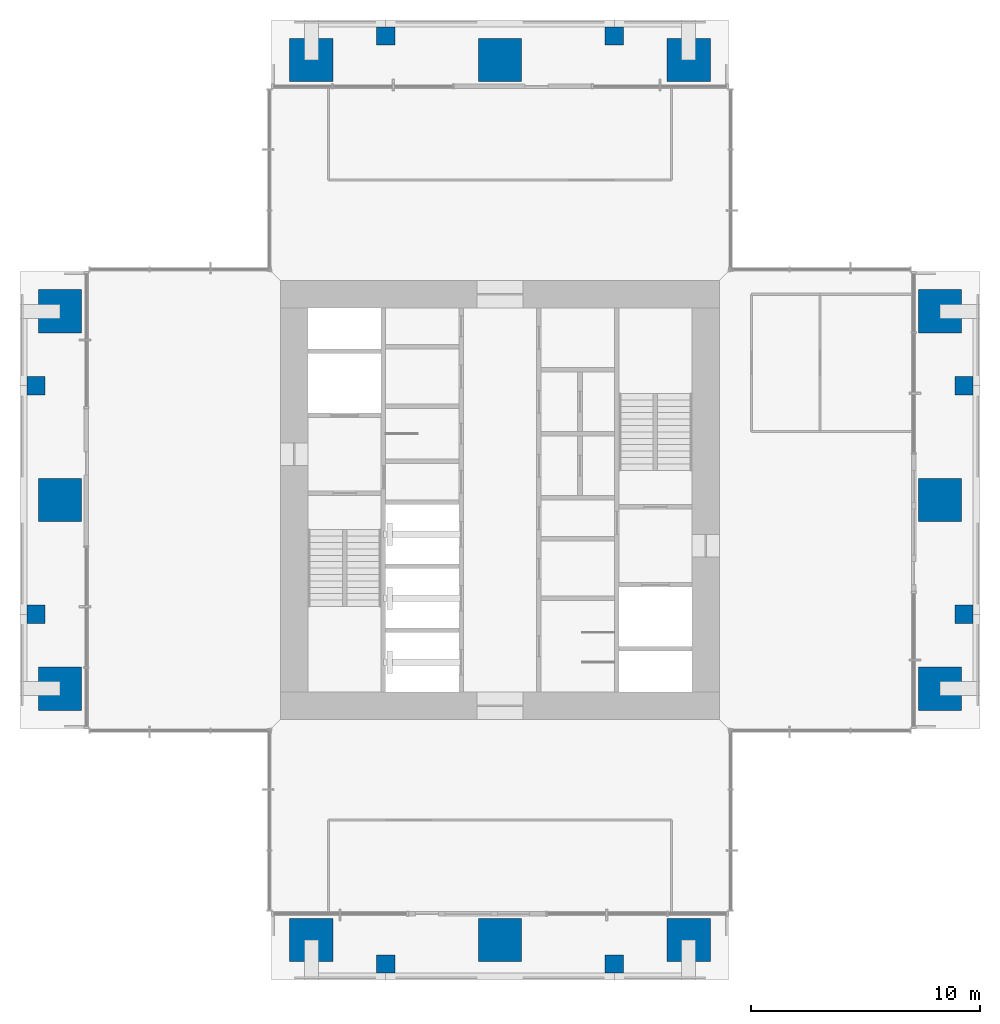
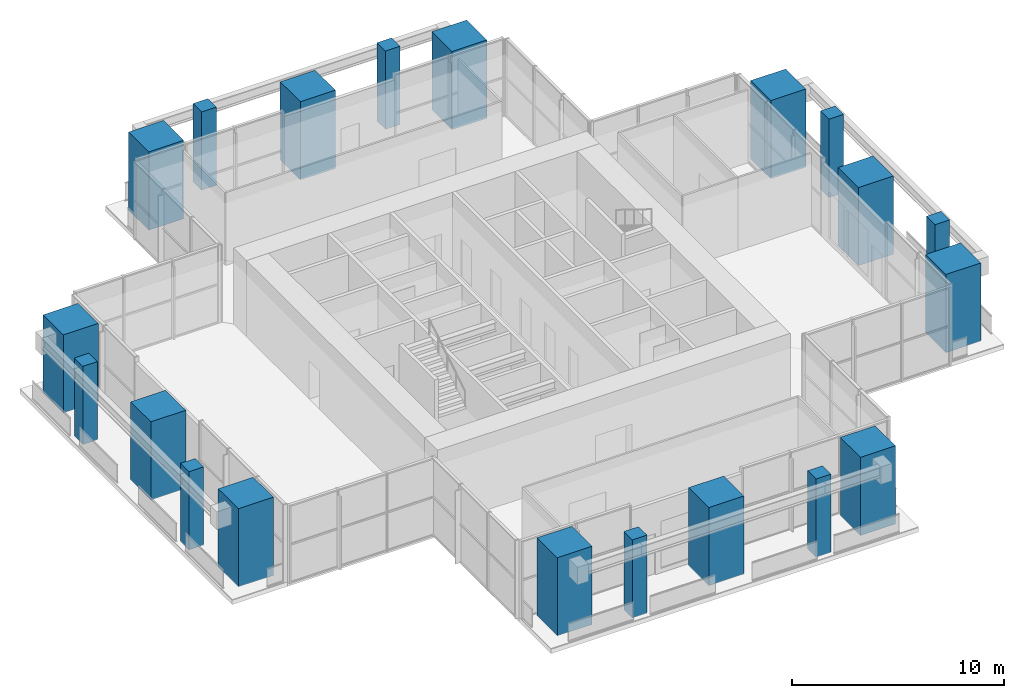
# One storey, part 1 of 11: 20 columns.
"""IFC4 building model written with IfcOpenShell, lengths in metres."""

from ifc_helpers import new_model, si_unit, direction, frame, origin, origin_2d, place, context, subcontext, project, spatial, rectangle, extrude, material, material_profile, profile_set, type_object, element, save


model = new_model("IFC4")

# Units and contexts
model_context = context("Model", 3, precision=1e-05, world=origin(), true_north=direction((0.0, 1.0)))
body_context = subcontext(model_context, "Body", "Model", "MODEL_VIEW")
ifc_project = project(units=[si_unit("LENGTHUNIT", "METRE"), si_unit("AREAUNIT", "SQUARE_METRE"), si_unit("VOLUMEUNIT", "CUBIC_METRE"), si_unit("PLANEANGLEUNIT", "RADIAN"), si_unit("MASSUNIT", "GRAM", prefix="KILO")], contexts=[model_context])

# Site, building, storey
site_placement = place(None, origin())
site = spatial("IfcSite", under=ifc_project, at=site_placement, CompositionType="ELEMENT")
building_placement = place(site_placement, origin())
building = spatial("IfcBuilding", under=site, at=building_placement, Name="Svetlomir Tower", CompositionType="ELEMENT")
storey_placement = place(building_placement, frame((0.0, 0.0, 273.39990234375)))
storey = spatial("IfcBuildingStorey", under=building, at=storey_placement, Name="L65", CompositionType="ELEMENT", Elevation=273.39990234375)

# Columns
ifc_material_1 = material(Name="Concrete C60/75", Category="concrete")
ifc_material_profile_1 = material_profile(ifc_material_1, rectangle(XDim=1.89990234375, YDim=1.89990234375, at=origin_2d()), Name="RC 1900x1900")
ifc_profile_set_1 = profile_set([ifc_material_profile_1], Name="Concrete C60/75")
column_type_1 = type_object("IfcColumnType", Name="COLUMN RC 1900x1900", PredefinedType="COLUMN", material=ifc_profile_set_1)
for number, where, z_axis, x_axis, name in (
    (1, (12.75, 1.75, 0.0), (0.0, 0.0, 1.0), (1.0, 0.0, 0.0), "Column 11/0 L65"),
    (2, (21.0, 1.75, 0.0), (0.0, 0.0, 1.0), (1.0, 0.0, 0.0), "Column 21/0 L65"),
    (3, (29.25, 1.75, 0.0), (0.0, 0.0, 1.0), (1.0, 0.0, 0.0), "Column 31/0 L65"),
    (4, (1.75, 12.75, 0.0), (0.0, 0.0, 1.0), (1.0, 0.0, 0.0), "Column 0/11 L65"),
    (5, (40.25, 12.75, 0.0), (0.0, 0.0, 1.0), (1.0, 0.0, 0.0), "Column 42/11 L65"),
    (6, (1.75, 21.0, 0.0), (0.0, 0.0, 1.0), (1.0, 0.0, 0.0), "Column 0/21 L65"),
    (7, (40.25, 21.0, 0.0), (0.0, 0.0, 1.0), (1.0, 0.0, 0.0), "Column 42/21 L65"),
    (8, (1.75, 29.25, 0.0), (0.0, 0.0, 1.0), (1.0, 0.0, 0.0), "Column 0/31 L65"),
    (9, (40.25, 29.25, 0.0), (0.0, 0.0, 1.0), (1.0, 0.0, 0.0), "Column 42/31 L65"),
    (10, (12.75, 40.25, 0.0), (0.0, 0.0, 1.0), (1.0, 0.0, 0.0), "Column 11/42 L65"),
    (11, (21.0, 40.25, 0.0), (0.0, 0.0, 1.0), (1.0, 0.0, 0.0), "Column 21/42 L65"),
    (12, (29.25, 40.25, 0.0), (0.0, 0.0, 1.0), (1.0, 0.0, 0.0), "Column 31/42 L65"),
):
    element("IfcColumn", number, at=place(storey_placement, frame(where, z_axis=z_axis, x_axis=x_axis)), inside=storey, type_object=column_type_1, Name=name, PredefinedType="COLUMN", context=body_context, shape_type="SweptSolid", body=[
        extrude(rectangle(XDim=1.89990234375, YDim=1.89990234375, at=origin_2d()), origin(), (0.0, 0.0, 1.0), 4.5),
    ])
ifc_material_2 = material(Name="Concrete C60/75", Category="concrete")
ifc_material_profile_2 = material_profile(ifc_material_2, rectangle(XDim=0.800048828125, YDim=0.800048828125, at=origin_2d()), Name="RC 800x800")
ifc_profile_set_2 = profile_set([ifc_material_profile_2], Name="Concrete C60/75")
column_type_2 = type_object("IfcColumnType", Name="COLUMN RC 800x800", PredefinedType="COLUMN", material=ifc_profile_set_2)
for number, where, z_axis, x_axis, name in (
    (13, (16.0, 0.699951171875, 0.0), (0.0, 0.0, 1.0), (1.0, 0.0, 0.0), "Column 16/0 L65"),
    (14, (26.0, 0.699951171875, 0.0), (0.0, 0.0, 1.0), (1.0, 0.0, 0.0), "Column 26/0 L65"),
    (15, (0.699951171875, 16.0, 0.0), (0.0, 0.0, 1.0), (1.0, 0.0, 0.0), "Column 0/16 L65"),
    (16, (41.300048828125, 16.0, 0.0), (0.0, 0.0, 1.0), (1.0, 0.0, 0.0), "Column 42/16 L65"),
    (17, (0.699951171875, 26.0, 0.0), (0.0, 0.0, 1.0), (1.0, 0.0, 0.0), "Column 0/26 L65"),
    (18, (41.300048828125, 26.0, 0.0), (0.0, 0.0, 1.0), (1.0, 0.0, 0.0), "Column 42/26 L65"),
    (19, (16.0, 41.300048828125, 0.0), (0.0, 0.0, 1.0), (1.0, 0.0, 0.0), "Column 16/42 L65"),
    (20, (26.0, 41.300048828125, 0.0), (0.0, 0.0, 1.0), (1.0, 0.0, 0.0), "Column 26/42 L65"),
):
    element("IfcColumn", number, at=place(storey_placement, frame(where, z_axis=z_axis, x_axis=x_axis)), inside=storey, type_object=column_type_2, Name=name, PredefinedType="COLUMN", context=body_context, shape_type="SweptSolid", body=[
        extrude(rectangle(XDim=0.800048828125, YDim=0.800048828125, at=origin_2d()), origin(), (0.0, 0.0, 1.0), 4.5),
    ])

save(model, "model.ifc")
